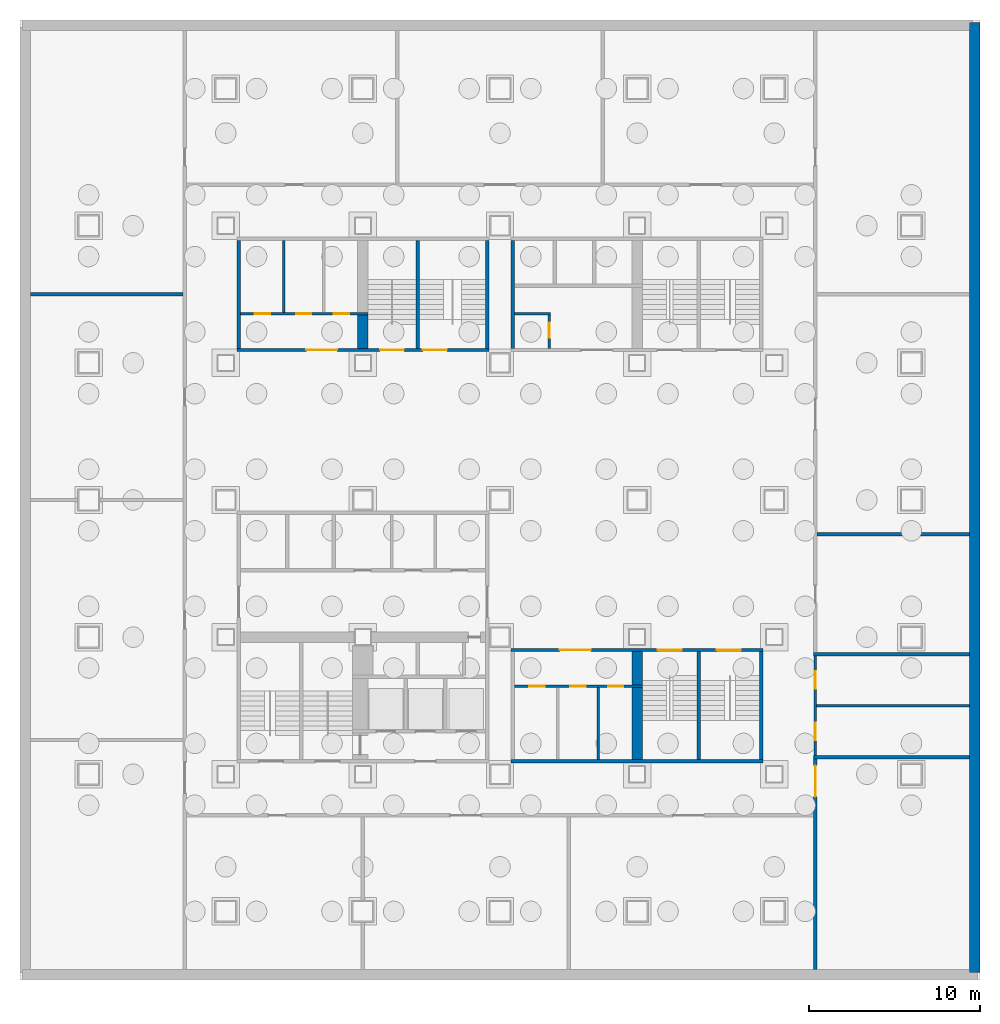
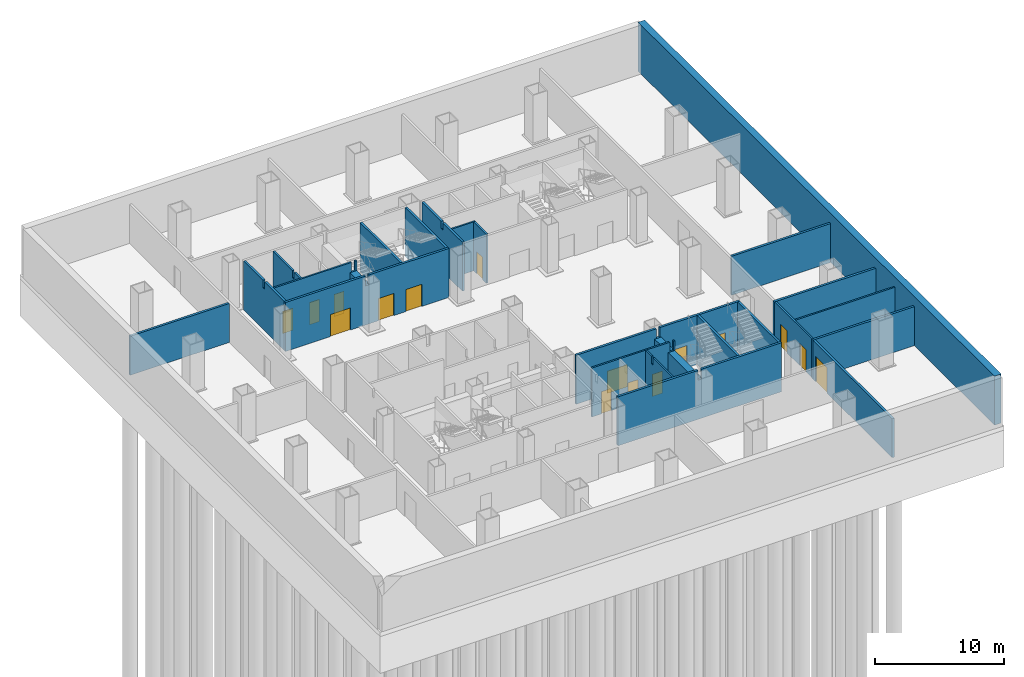
# One storey, part 4 of 9: 26 walls, 16 doors, 16 openings.
"""IFC4 building model written with IfcOpenShell, lengths in metres."""

from ifc_helpers import new_model, si_unit, direction, frame, frame_2d, origin, place, context, subcontext, project, spatial, polyline, rectangle, outline, extrude, material, layer, layer_set, type_object, element, fill, save


model = new_model("IFC4")

# Units and contexts
model_context = context("Model", 3, precision=1e-05, world=origin(), true_north=direction((0.0, 1.0)))
body_context = subcontext(model_context, "Body", "Model", "MODEL_VIEW")
ifc_project = project(units=[si_unit("LENGTHUNIT", "METRE"), si_unit("AREAUNIT", "SQUARE_METRE"), si_unit("VOLUMEUNIT", "CUBIC_METRE"), si_unit("PLANEANGLEUNIT", "RADIAN"), si_unit("MASSUNIT", "GRAM", prefix="KILO")], contexts=[model_context])

# Site, building, storey
site_placement = place(None, origin())
site = spatial("IfcSite", under=ifc_project, at=site_placement, CompositionType="ELEMENT")
building_placement = place(site_placement, origin())
building = spatial("IfcBuilding", under=site, at=building_placement, Name="Immortelle Media Tower", CompositionType="ELEMENT")
storey_placement = place(building_placement, frame((0.0, 0.0, -5.0)))
storey = spatial("IfcBuildingStorey", under=building, at=storey_placement, Name="B1", CompositionType="ELEMENT", Elevation=-5.0)

# Wall, openings, doors
ifc_material_1 = material(Name="Fire-rated gypsum board", Category="gypsum")
ifc_layer_1 = layer(ifc_material_1, 0.02490234375)
ifc_material_2 = material(Name="Steel ASTM A653 SS Gr 50 stud frame with mineral wool", Category="steel")
ifc_layer_2 = layer(ifc_material_2, 0.10009765625)
ifc_layer_3 = layer(ifc_material_1, 0.02490234375)
ifc_layer_set_1 = layer_set([ifc_layer_1, ifc_layer_2, ifc_layer_3], Name="Steel ASTM A653 SS Gr 50 stud frame with mineral wool")
wall_type_1 = type_object("IfcWallType", Name="Core partition 150", PredefinedType="PARTITIONING", material=ifc_layer_set_1)
wall_1_placement = place(storey_placement, frame((24.85009765625, 13.125, 0.0), z_axis=(0.0, 0.0, 1.0), x_axis=(1.0, 0.0, 0.0)))
wall_1 = element("IfcWall", 1, at=wall_1_placement, inside=storey, type_object=wall_type_1, Name="Core partition SE", PredefinedType="PARTITIONING", context=body_context, shape_type="SweptSolid", body=[
    extrude(outline(polyline([(0.0, 0.0), (7.449951171875, 0.0), (7.449951171875, 4.64990234375), (7.30859375, 4.64990234375), (7.3076171875, 3.717041015625), (6.992431640625, 3.717041015625), (6.991455078125, 4.64990234375), (0.0, 4.64990234375), (0.0, 0.0)])), frame((0.0, 0.074951171875, 0.0), z_axis=(0.0, -1.0, 0.0), x_axis=(1.0, 0.0, 0.0)), (0.0, 0.0, 1.0), 0.14990234375),
])
opening_1_placement = place(wall_1_placement, frame((1.75, 0.0, 0.0), z_axis=(0.0, 0.0, 1.0), x_axis=(-1.0, 0.0, 0.0)))
opening_1 = element("IfcOpeningElement", 2, at=opening_1_placement, cuts=wall_1, Name="Opening B1-K014", PredefinedType="OPENING", context=body_context, shape_type="SweptSolid", body=[
    extrude(rectangle(XDim=0.89990234375, YDim=2.10009765625, at=frame_2d((0.449951171875, 1.050048828125))), frame((0.0, 0.0849609375, 0.0), z_axis=(0.0, -1.0, 0.0), x_axis=(1.0, 0.0, 0.0)), (0.0, 0.0, 1.0), 0.169921875),
])
opening_2_placement = place(wall_1_placement, frame((4.14990234375, 0.0, 0.0), z_axis=(0.0, 0.0, 1.0), x_axis=(-1.0, 0.0, 0.0)))
opening_2 = element("IfcOpeningElement", 3, at=opening_2_placement, cuts=wall_1, Name="Opening B1-K016", PredefinedType="OPENING", context=body_context, shape_type="SweptSolid", body=[
    extrude(rectangle(XDim=0.89990234375, YDim=2.10009765625, at=frame_2d((0.449951171875, 1.050048828125))), frame((0.0, 0.0849609375, 0.0), z_axis=(0.0, -1.0, 0.0), x_axis=(1.0, 0.0, 0.0)), (0.0, 0.0, 1.0), 0.169921875),
])
opening_3_placement = place(wall_1_placement, frame((6.349853515625, 0.0, 0.0), z_axis=(0.0, 0.0, 1.0), x_axis=(-1.0, 0.0, 0.0)))
opening_3 = element("IfcOpeningElement", 4, at=opening_3_placement, cuts=wall_1, Name="Opening B1-K017", PredefinedType="OPENING", context=body_context, shape_type="SweptSolid", body=[
    extrude(rectangle(XDim=0.89990234375, YDim=2.10009765625, at=frame_2d((0.449951171875, 1.050048828125))), frame((0.0, 0.0849609375, 0.0), z_axis=(0.0, -1.0, 0.0), x_axis=(1.0, 0.0, 0.0)), (0.0, 0.0, 1.0), 0.169921875),
])
ifc_material_3 = material(Name="Galvanised steel door leaf and frame ASTM A653", Category="steel")
door_type_1 = type_object("IfcDoorType", Name="Service door 900 x 2100", OperationType="NOTDEFINED", PredefinedType="NOTDEFINED", material=ifc_material_3)
door_1_placement = place(opening_1_placement, origin())
door_1 = element("IfcDoor", 5, at=door_1_placement, inside=storey, type_object=door_type_1, Name="Service B1-K014", OperationType="SINGLE_SWING_RIGHT", OverallHeight=2.10009765625, OverallWidth=0.89990234375, PredefinedType="NOTDEFINED", context=body_context, shape_type="SweptSolid", body=[
    extrude(rectangle(XDim=0.89990234375, YDim=2.10009765625, at=frame_2d((0.449951171875, 1.050048828125))), frame((0.0, 0.02490234375, 0.0), z_axis=(0.0, -1.0, 0.0), x_axis=(1.0, 0.0, 0.0)), (0.0, 0.0, 1.0), 0.050048828125),
])
fill(opening_1, door_1)
door_2_placement = place(opening_2_placement, origin())
door_2 = element("IfcDoor", 6, at=door_2_placement, inside=storey, type_object=door_type_1, Name="Service B1-K016", OperationType="SINGLE_SWING_RIGHT", OverallHeight=2.10009765625, OverallWidth=0.89990234375, PredefinedType="NOTDEFINED", context=body_context, shape_type="SweptSolid", body=[
    extrude(rectangle(XDim=0.89990234375, YDim=2.10009765625, at=frame_2d((0.449951171875, 1.050048828125))), frame((0.0, 0.02490234375, 0.0), z_axis=(0.0, -1.0, 0.0), x_axis=(1.0, 0.0, 0.0)), (0.0, 0.0, 1.0), 0.050048828125),
])
fill(opening_2, door_2)
door_3_placement = place(opening_3_placement, origin())
door_3 = element("IfcDoor", 7, at=door_3_placement, inside=storey, type_object=door_type_1, Name="Service B1-K017", OperationType="SINGLE_SWING_LEFT", OverallHeight=2.10009765625, OverallWidth=0.89990234375, PredefinedType="NOTDEFINED", context=body_context, shape_type="SweptSolid", body=[
    extrude(rectangle(XDim=0.89990234375, YDim=2.10009765625, at=frame_2d((0.449951171875, 1.050048828125))), frame((0.0, 0.02490234375, 0.0), z_axis=(0.0, -1.0, 0.0), x_axis=(1.0, 0.0, 0.0)), (0.0, 0.0, 1.0), 0.050048828125),
])
fill(opening_3, door_3)

# Wall
wall_2_placement = place(storey_placement, frame((29.72509765625, 8.85009765625, 0.0), z_axis=(0.0, 0.0, 1.0), x_axis=(0.0, 1.0, 0.0)))
element("IfcWall", 8, at=wall_2_placement, inside=storey, type_object=wall_type_1, Name="Core partition SE", PredefinedType="PARTITIONING", context=body_context, shape_type="SweptSolid", body=[
    extrude(outline(polyline([(0.0, 0.0), (4.199951171875, 0.0), (4.199951171875, 4.64990234375), (3.283447265625, 4.64990234375), (3.282470703125, 3.950927734375), (3.017578125, 3.950927734375), (3.0166015625, 4.64990234375), (0.0, 4.64990234375), (0.0, 0.0)])), frame((0.0, 0.074951171875, 0.0), z_axis=(0.0, -1.0, 0.0), x_axis=(1.0, 0.0, 0.0)), (0.0, 0.0, 1.0), 0.14990234375),
])

# Wall, openings, doors
wall_3_placement = place(storey_placement, frame((8.85009765625, 34.875, 0.0), z_axis=(0.0, 0.0, 1.0), x_axis=(1.0, 0.0, 0.0)))
wall_3 = element("IfcWall", 9, at=wall_3_placement, inside=storey, type_object=wall_type_1, Name="Core partition NW", PredefinedType="PARTITIONING", context=body_context, shape_type="SweptSolid", body=[
    extrude(outline(polyline([(0.0, 0.0), (7.449951171875, 0.0), (7.449951171875, 4.64990234375), (7.30859375, 4.64990234375), (7.3076171875, 3.717041015625), (6.992431640625, 3.717041015625), (6.991455078125, 4.64990234375), (0.0, 4.64990234375), (0.0, 0.0)])), frame((0.0, 0.074951171875, 0.0), z_axis=(0.0, -1.0, 0.0), x_axis=(1.0, 0.0, 0.0)), (0.0, 0.0, 1.0), 0.14990234375),
])
opening_4_placement = place(wall_3_placement, frame((0.85009765625, 0.0, 0.0)))
opening_4 = element("IfcOpeningElement", 10, at=opening_4_placement, cuts=wall_3, Name="Opening B1-K020", PredefinedType="OPENING", context=body_context, shape_type="SweptSolid", body=[
    extrude(rectangle(XDim=0.89990234375, YDim=2.10009765625, at=frame_2d((0.449951171875, 1.050048828125))), frame((0.0, 0.0849609375, 0.0), z_axis=(0.0, -1.0, 0.0), x_axis=(1.0, 0.0, 0.0)), (0.0, 0.0, 1.0), 0.169921875),
])
opening_5_placement = place(wall_3_placement, frame((3.25, 0.0, 0.0)))
opening_5 = element("IfcOpeningElement", 11, at=opening_5_placement, cuts=wall_3, Name="Opening B1-K021", PredefinedType="OPENING", context=body_context, shape_type="SweptSolid", body=[
    extrude(rectangle(XDim=0.89990234375, YDim=2.10009765625, at=frame_2d((0.449951171875, 1.050048828125))), frame((0.0, 0.0849609375, 0.0), z_axis=(0.0, -1.0, 0.0), x_axis=(1.0, 0.0, 0.0)), (0.0, 0.0, 1.0), 0.169921875),
])
opening_6_placement = place(wall_3_placement, frame((5.449951171875, 0.0, 0.0)))
opening_6 = element("IfcOpeningElement", 12, at=opening_6_placement, cuts=wall_3, Name="Opening B1-K023", PredefinedType="OPENING", context=body_context, shape_type="SweptSolid", body=[
    extrude(rectangle(XDim=0.89990234375, YDim=2.10009765625, at=frame_2d((0.449951171875, 1.050048828125))), frame((0.0, 0.0849609375, 0.0), z_axis=(0.0, -1.0, 0.0), x_axis=(1.0, 0.0, 0.0)), (0.0, 0.0, 1.0), 0.169921875),
])
door_4_placement = place(opening_4_placement, origin())
door_4 = element("IfcDoor", 13, at=door_4_placement, inside=storey, type_object=door_type_1, Name="Service B1-K020", OperationType="SINGLE_SWING_LEFT", OverallHeight=2.10009765625, OverallWidth=0.89990234375, PredefinedType="NOTDEFINED", context=body_context, shape_type="SweptSolid", body=[
    extrude(rectangle(XDim=0.89990234375, YDim=2.10009765625, at=frame_2d((0.449951171875, 1.050048828125))), frame((0.0, 0.02490234375, 0.0), z_axis=(0.0, -1.0, 0.0), x_axis=(1.0, 0.0, 0.0)), (0.0, 0.0, 1.0), 0.050048828125),
])
fill(opening_4, door_4)
door_5_placement = place(opening_5_placement, origin())
door_5 = element("IfcDoor", 14, at=door_5_placement, inside=storey, type_object=door_type_1, Name="Service B1-K021", OperationType="SINGLE_SWING_LEFT", OverallHeight=2.10009765625, OverallWidth=0.89990234375, PredefinedType="NOTDEFINED", context=body_context, shape_type="SweptSolid", body=[
    extrude(rectangle(XDim=0.89990234375, YDim=2.10009765625, at=frame_2d((0.449951171875, 1.050048828125))), frame((0.0, 0.02490234375, 0.0), z_axis=(0.0, -1.0, 0.0), x_axis=(1.0, 0.0, 0.0)), (0.0, 0.0, 1.0), 0.050048828125),
])
fill(opening_5, door_5)
door_6_placement = place(opening_6_placement, origin())
door_6 = element("IfcDoor", 15, at=door_6_placement, inside=storey, type_object=door_type_1, Name="Service B1-K023", OperationType="SINGLE_SWING_RIGHT", OverallHeight=2.10009765625, OverallWidth=0.89990234375, PredefinedType="NOTDEFINED", context=body_context, shape_type="SweptSolid", body=[
    extrude(rectangle(XDim=0.89990234375, YDim=2.10009765625, at=frame_2d((0.449951171875, 1.050048828125))), frame((0.0, 0.02490234375, 0.0), z_axis=(0.0, -1.0, 0.0), x_axis=(1.0, 0.0, 0.0)), (0.0, 0.0, 1.0), 0.050048828125),
])
fill(opening_6, door_6)

# Walls
wall_4_placement = place(storey_placement, frame((11.375, 34.949951171875, 0.0), z_axis=(0.0, 0.0, 1.0), x_axis=(0.0, 1.0, 0.0)))
element("IfcWall", 16, at=wall_4_placement, inside=storey, type_object=wall_type_1, Name="Core partition NW", PredefinedType="PARTITIONING", context=body_context, shape_type="SweptSolid", body=[
    extrude(outline(polyline([(0.0, 0.0), (4.199951171875, 0.0), (4.199951171875, 4.64990234375), (1.18359375, 4.64990234375), (1.1826171875, 3.950927734375), (0.91748046875, 3.950927734375), (0.91650390625, 4.64990234375), (0.0, 4.64990234375), (0.0, 0.0)])), frame((0.0, 0.074951171875, 0.0), z_axis=(0.0, -1.0, 0.0), x_axis=(1.0, 0.0, 0.0)), (0.0, 0.0, 1.0), 0.14990234375),
])
wall_5_placement = place(storey_placement, frame((24.85009765625, 34.875, 0.0), z_axis=(0.0, 0.0, 1.0), x_axis=(1.0, 0.0, 0.0)))
element("IfcWall", 17, at=wall_5_placement, inside=storey, type_object=wall_type_1, Name="Core partition NE", PredefinedType="PARTITIONING", context=body_context, shape_type="SweptSolid", body=[
    extrude(rectangle(XDim=2.099853515625, YDim=0.14990234375, at=frame_2d((1.0498046875, 0.0))), origin(), (0.0, 0.0, 1.0), 4.64990234375),
])

# Wall, opening, door
wall_6_placement = place(storey_placement, frame((26.875, 32.85009765625, 0.0), z_axis=(0.0, 0.0, 1.0), x_axis=(0.0, 1.0, 0.0)))
wall_6 = element("IfcWall", 18, at=wall_6_placement, inside=storey, type_object=wall_type_1, Name="Core partition NE", PredefinedType="PARTITIONING", context=body_context, shape_type="SweptSolid", body=[
    extrude(rectangle(XDim=1.949951171875, YDim=0.14990234375, at=frame_2d((0.97509765625, 0.0))), origin(), (0.0, 0.0, 1.0), 4.64990234375),
])
opening_7_placement = place(wall_6_placement, frame((0.60009765625, 0.0, 0.0)))
opening_7 = element("IfcOpeningElement", 19, at=opening_7_placement, cuts=wall_6, Name="Opening B1-K026", PredefinedType="OPENING", context=body_context, shape_type="SweptSolid", body=[
    extrude(rectangle(XDim=0.89990234375, YDim=2.10009765625, at=frame_2d((0.449951171875, 1.050048828125))), frame((0.0, 0.0849609375, 0.0), z_axis=(0.0, -1.0, 0.0), x_axis=(1.0, 0.0, 0.0)), (0.0, 0.0, 1.0), 0.169921875),
])
door_7_placement = place(opening_7_placement, origin())
door_7 = element("IfcDoor", 20, at=door_7_placement, inside=storey, type_object=door_type_1, Name="Service B1-K026", OperationType="SINGLE_SWING_RIGHT", OverallHeight=2.10009765625, OverallWidth=0.89990234375, PredefinedType="NOTDEFINED", context=body_context, shape_type="SweptSolid", body=[
    extrude(rectangle(XDim=0.89990234375, YDim=2.10009765625, at=frame_2d((0.449951171875, 1.050048828125))), frame((0.0, 0.02490234375, 0.0), z_axis=(0.0, -1.0, 0.0), x_axis=(1.0, 0.0, 0.0)), (0.0, 0.0, 1.0), 0.050048828125),
])
fill(opening_7, door_7)

# Walls
ifc_layer_4 = layer(ifc_material_1, 0.03759765625)
ifc_layer_5 = layer(ifc_material_2, 0.125)
ifc_layer_6 = layer(ifc_material_1, 0.03759765625)
ifc_layer_set_2 = layer_set([ifc_layer_4, ifc_layer_5, ifc_layer_6], Name="Steel ASTM A653 SS Gr 50 stud frame with mineral wool")
wall_type_2 = type_object("IfcWallType", Name="Core shaft wall 200", PredefinedType="PARTITIONING", material=ifc_layer_set_2)
for number, where, z_axis, x_axis, name in (
    (21, (8.75, 32.85009765625, 0.0), (0.0, 0.0, 1.0), (0.0, 1.0, 0.0), "Core shaft wall NW"),
    (22, (24.75, 32.85009765625, 0.0), (0.0, 0.0, 1.0), (0.0, 1.0, 0.0), "Core shaft wall NE"),
):
    element("IfcWall", number, at=place(storey_placement, frame(where, z_axis=z_axis, x_axis=x_axis)), inside=storey, type_object=wall_type_2, Name=name, PredefinedType="PARTITIONING", context=body_context, shape_type="SweptSolid", body=[
        extrude(outline(polyline([(0.0, 0.0), (6.2998046875, 0.0), (6.300048828125, 4.64990234375), (3.283447265625, 4.64990234375), (3.282470703125, 3.950927734375), (3.017578125, 3.950927734375), (3.0166015625, 4.64990234375), (0.0, 4.64990234375), (0.0, 0.0)])), frame((0.0, 0.10009765625, 0.0), z_axis=(0.0, -1.0, 0.0), x_axis=(1.0, 0.0, 0.0)), (0.0, 0.0, 1.0), 0.199951171875),
    ])
ifc_layer_7 = layer(ifc_material_1, 0.03759765625)
ifc_layer_8 = layer(ifc_material_2, 0.125)
ifc_layer_9 = layer(ifc_material_1, 0.03759765625)
ifc_layer_set_3 = layer_set([ifc_layer_7, ifc_layer_8, ifc_layer_9], Name="Steel ASTM A653 SS Gr 50 stud frame with mineral wool")
wall_type_3 = type_object("IfcWallType", Name="Fire-resisting wall 200", PredefinedType="PARTITIONING", material=ifc_layer_set_3)
wall_7_placement = place(storey_placement, frame((-3.39990234375, 36.0, 0.0), z_axis=(0.0, 0.0, 1.0), x_axis=(1.0, 0.0, 0.0)))
element("IfcWall", 23, at=wall_7_placement, inside=storey, type_object=wall_type_3, Name="Fire-resisting wall B1-6", PredefinedType="PARTITIONING", context=body_context, shape_type="SweptSolid", body=[
    extrude(rectangle(XDim=8.89990234375, YDim=0.199951171875, at=frame_2d((4.449951171875, 0.0))), origin(), (0.0, 0.0, 1.0), 3.699951171875),
])
for number, where, z_axis, x_axis, name in (
    (24, (42.300048828125, 9.0, 0.0), (0.0, 0.0, 1.0), (1.0, 0.0, 0.0), "Fire-resisting wall B1-14"),
    (25, (42.300048828125, 15.0, 0.0), (0.0, 0.0, 1.0), (1.0, 0.0, 0.0), "Fire-resisting wall B1-15"),
):
    element("IfcWall", number, at=place(storey_placement, frame(where, z_axis=z_axis, x_axis=x_axis)), inside=storey, type_object=wall_type_3, Name=name, PredefinedType="PARTITIONING", context=body_context, shape_type="SweptSolid", body=[
        extrude(rectangle(XDim=9.099853515625, YDim=0.199951171875, at=frame_2d((4.5498046875, 0.0))), origin(), (0.0, 0.0, 1.0), 3.699951171875),
    ])

# Wall, opening, door
wall_8_placement = place(storey_placement, frame((42.39990234375, -3.39990234375, 0.0), z_axis=(0.0, 0.0, 1.0), x_axis=(0.0, 1.0, 0.0)))
wall_8 = element("IfcWall", 26, at=wall_8_placement, inside=storey, type_object=wall_type_3, Name="Fire-resisting wall B1-16", PredefinedType="PARTITIONING", context=body_context, shape_type="SweptSolid", body=[
    extrude(rectangle(XDim=12.2998046875, YDim=0.199951171875, at=frame_2d((6.14990234375, 0.0))), origin(), (0.0, 0.0, 1.0), 3.699951171875),
])
opening_8_placement = place(wall_8_placement, frame((10.10009765625, 0.0, 0.0)))
opening_8 = element("IfcOpeningElement", 27, at=opening_8_placement, cuts=wall_8, Name="Opening B1-X08", PredefinedType="OPENING", context=body_context, shape_type="SweptSolid", body=[
    extrude(rectangle(XDim=1.800048828125, YDim=2.39990234375, at=frame_2d((0.89990234375, 1.199951171875))), frame((0.0, 0.10986328125, 0.0), z_axis=(0.0, -1.0, 0.0), x_axis=(1.0, 0.0, 0.0)), (0.0, 0.0, 1.0), 0.219970703125),
])
door_type_2 = type_object("IfcDoorType", Name="Fire double door 1800 x 2400", OperationType="DOUBLE_DOOR_SINGLE_SWING", PredefinedType="DOOR", material=ifc_material_3)
door_8_placement = place(opening_8_placement, origin())
door_8 = element("IfcDoor", 28, at=door_8_placement, inside=storey, type_object=door_type_2, Name="Door B1-X08", OperationType="DOUBLE_DOOR_SINGLE_SWING", OverallHeight=2.39990234375, OverallWidth=1.800048828125, PredefinedType="DOOR", context=body_context, shape_type="SweptSolid", body=[
    extrude(rectangle(XDim=1.800048828125, YDim=2.39990234375, at=frame_2d((0.89990234375, 1.199951171875))), frame((0.0, 0.02490234375, 0.0), z_axis=(0.0, -1.0, 0.0), x_axis=(1.0, 0.0, 0.0)), (0.0, 0.0, 1.0), 0.050048828125),
])
fill(opening_8, door_8)

# Wall
wall_9_placement = place(storey_placement, frame((42.5, 22.0, 0.0), z_axis=(0.0, 0.0, 1.0), x_axis=(1.0, 0.0, 0.0)))
element("IfcWall", 29, at=wall_9_placement, inside=storey, type_object=wall_type_3, Name="Fire-resisting wall B1-20", PredefinedType="PARTITIONING", context=body_context, shape_type="SweptSolid", body=[
    extrude(rectangle(XDim=8.89990234375, YDim=0.199951171875, at=frame_2d((4.449951171875, 0.0))), origin(), (0.0, 0.0, 1.0), 3.699951171875),
])

# Wall, openings, doors
ifc_material_4 = material(Name="Gypsum board", Category="gypsum")
ifc_layer_10 = layer(ifc_material_4, 0.012451171875)
ifc_layer_11 = layer(ifc_material_2, 0.125)
ifc_layer_12 = layer(ifc_material_4, 0.012451171875)
ifc_layer_set_4 = layer_set([ifc_layer_10, ifc_layer_11, ifc_layer_12], Name="Steel ASTM A653 SS Gr 50 stud frame with mineral wool")
wall_type_4 = type_object("IfcWallType", Name="Partition 150", PredefinedType="PARTITIONING", material=ifc_layer_set_4)
wall_10_placement = place(storey_placement, frame((42.39990234375, 9.10009765625, 0.0), z_axis=(0.0, 0.0, 1.0), x_axis=(0.0, 1.0, 0.0)))
wall_10 = element("IfcWall", 30, at=wall_10_placement, inside=storey, type_object=wall_type_4, Name="Partition B1-17", PredefinedType="PARTITIONING", context=body_context, shape_type="SweptSolid", body=[
    extrude(rectangle(XDim=5.7998046875, YDim=0.14990234375, at=frame_2d((2.89990234375, 0.0))), origin(), (0.0, 0.0, 1.0), 3.699951171875),
])
opening_9_placement = place(wall_10_placement, frame((1.89990234375, 0.0, 0.0), z_axis=(0.0, 0.0, 1.0), x_axis=(-1.0, 0.0, 0.0)))
opening_9 = element("IfcOpeningElement", 31, at=opening_9_placement, cuts=wall_10, Name="Opening B1-X09", PredefinedType="OPENING", context=body_context, shape_type="SweptSolid", body=[
    extrude(rectangle(XDim=1.0, YDim=2.10009765625, at=frame_2d((0.5, 1.050048828125))), frame((0.0, 0.0849609375, 0.0), z_axis=(0.0, -1.0, 0.0), x_axis=(1.0, 0.0, 0.0)), (0.0, 0.0, 1.0), 0.169921875),
])
opening_10_placement = place(wall_10_placement, frame((4.89990234375, 0.0, 0.0), z_axis=(0.0, 0.0, 1.0), x_axis=(-1.0, 0.0, 0.0)))
opening_10 = element("IfcOpeningElement", 32, at=opening_10_placement, cuts=wall_10, Name="Opening B1-X10", PredefinedType="OPENING", context=body_context, shape_type="SweptSolid", body=[
    extrude(rectangle(XDim=1.0, YDim=2.10009765625, at=frame_2d((0.5, 1.050048828125))), frame((0.0, 0.0849609375, 0.0), z_axis=(0.0, -1.0, 0.0), x_axis=(1.0, 0.0, 0.0)), (0.0, 0.0, 1.0), 0.169921875),
])
ifc_material_5 = material(Name="Timber door leaf, galvanised steel frame ASTM A653", Category="steel")
door_type_3 = type_object("IfcDoorType", Name="Door 1000 x 2100", OperationType="NOTDEFINED", PredefinedType="DOOR", material=ifc_material_5)
door_9_placement = place(opening_9_placement, origin())
door_9 = element("IfcDoor", 33, at=door_9_placement, inside=storey, type_object=door_type_3, Name="Door B1-X09", OperationType="SINGLE_SWING_LEFT", OverallHeight=2.10009765625, OverallWidth=1.0, PredefinedType="DOOR", context=body_context, shape_type="SweptSolid", body=[
    extrude(rectangle(XDim=1.0, YDim=2.10009765625, at=frame_2d((0.5, 1.050048828125))), frame((0.0, 0.02490234375, 0.0), z_axis=(0.0, -1.0, 0.0), x_axis=(1.0, 0.0, 0.0)), (0.0, 0.0, 1.0), 0.050048828125),
])
fill(opening_9, door_9)
door_10_placement = place(opening_10_placement, origin())
door_10 = element("IfcDoor", 34, at=door_10_placement, inside=storey, type_object=door_type_3, Name="Door B1-X10", OperationType="SINGLE_SWING_RIGHT", OverallHeight=2.10009765625, OverallWidth=1.0, PredefinedType="DOOR", context=body_context, shape_type="SweptSolid", body=[
    extrude(rectangle(XDim=1.0, YDim=2.10009765625, at=frame_2d((0.5, 1.050048828125))), frame((0.0, 0.02490234375, 0.0), z_axis=(0.0, -1.0, 0.0), x_axis=(1.0, 0.0, 0.0)), (0.0, 0.0, 1.0), 0.050048828125),
])
fill(opening_10, door_10)

# Walls
wall_11_placement = place(storey_placement, frame((42.47509765625, 12.0, 0.0), z_axis=(0.0, 0.0, 1.0), x_axis=(1.0, 0.0, 0.0)))
element("IfcWall", 35, at=wall_11_placement, inside=storey, type_object=wall_type_4, Name="Partition B1-19", PredefinedType="PARTITIONING", context=body_context, shape_type="SweptSolid", body=[
    extrude(rectangle(XDim=8.9248046875, YDim=0.14990234375, at=frame_2d((4.46240234375, 0.0))), origin(), (0.0, 0.0, 1.0), 3.699951171875),
])
ifc_material_6 = material(Name="Concrete C60", Category="concrete")
ifc_layer_13 = layer(ifc_material_6, 0.60009765625)
ifc_layer_set_5 = layer_set([ifc_layer_13], Name="Concrete C60")
wall_type_5 = type_object("IfcWallType", Name="Retaining wall 600", PredefinedType="SOLIDWALL", material=ifc_layer_set_5)
wall_12_placement = place(storey_placement, frame((51.699951171875, -3.550048828125, 0.0), z_axis=(0.0, 0.0, 1.0), x_axis=(0.0, 1.0, 0.0)))
element("IfcWall", 36, at=wall_12_placement, inside=storey, type_object=wall_type_5, Name="Retaining wall 2", PredefinedType="SOLIDWALL", context=body_context, shape_type="SweptSolid", body=[
    extrude(rectangle(XDim=55.400146484375, YDim=0.60009765625, at=frame_2d((27.7001953125, 0.0))), origin(), (0.0, 0.0, 1.0), 4.64990234375),
])
ifc_layer_14 = layer(ifc_material_6, 0.199951171875)
ifc_layer_set_6 = layer_set([ifc_layer_14], Name="Concrete C60")
wall_type_6 = type_object("IfcWallType", Name="Stair shaft wall 200", PredefinedType="PARTITIONING", material=ifc_layer_set_6)
wall_13_placement = place(storey_placement, frame((24.64990234375, 8.75, 0.0), z_axis=(0.0, 0.0, 1.0), x_axis=(1.0, 0.0, 0.0)))
element("IfcWall", 37, at=wall_13_placement, inside=storey, type_object=wall_type_6, Name="Stair shaft wall SE", PredefinedType="PARTITIONING", context=body_context, shape_type="SweptSolid", body=[
    extrude(outline(polyline([(0.0, 0.0), (14.7001953125, 0.0), (14.699951171875, 4.64990234375), (7.508544921875, 4.64990234375), (7.507568359375, 3.717041015625), (7.1923828125, 3.717041015625), (7.19140625, 4.64990234375), (0.0, 4.64990234375), (0.0, 0.0)])), frame((0.0, 0.10009765625, 0.0), z_axis=(0.0, -1.0, 0.0), x_axis=(1.0, 0.0, 0.0)), (0.0, 0.0, 1.0), 0.199951171875),
])

# Wall, openings, doors
wall_14_placement = place(storey_placement, frame((24.64990234375, 15.25, 0.0), z_axis=(0.0, 0.0, 1.0), x_axis=(1.0, 0.0, 0.0)))
wall_14 = element("IfcWall", 38, at=wall_14_placement, inside=storey, type_object=wall_type_6, Name="Stair shaft wall SE", PredefinedType="PARTITIONING", context=body_context, shape_type="SweptSolid", body=[
    extrude(outline(polyline([(0.0, 0.0), (14.7001953125, 0.0), (14.699951171875, 4.64990234375), (7.508544921875, 4.64990234375), (7.507568359375, 3.717041015625), (7.1923828125, 3.717041015625), (7.19140625, 4.64990234375), (0.0, 4.64990234375), (0.0, 0.0)])), frame((0.0, 0.10009765625, 0.0), z_axis=(0.0, -1.0, 0.0), x_axis=(1.0, 0.0, 0.0)), (0.0, 0.0, 1.0), 0.199951171875),
])
opening_11_placement = place(wall_14_placement, frame((2.85009765625, 0.0, 0.0)))
opening_11 = element("IfcOpeningElement", 39, at=opening_11_placement, cuts=wall_14, Name="Opening B1-K015", PredefinedType="OPENING", context=body_context, shape_type="SweptSolid", body=[
    extrude(rectangle(XDim=1.800048828125, YDim=2.10009765625, at=frame_2d((0.89990234375, 1.050048828125))), frame((0.0, 0.10986328125, 0.0), z_axis=(0.0, -1.0, 0.0), x_axis=(1.0, 0.0, 0.0)), (0.0, 0.0, 1.0), 0.219970703125),
])
opening_12_placement = place(wall_14_placement, frame((9.949951171875, 0.0, 0.0), z_axis=(0.0, 0.0, 1.0), x_axis=(-1.0, 0.0, 0.0)))
opening_12 = element("IfcOpeningElement", 40, at=opening_12_placement, cuts=wall_14, Name="Opening B1-K018", PredefinedType="OPENING", context=body_context, shape_type="SweptSolid", body=[
    extrude(rectangle(XDim=1.39990234375, YDim=2.10009765625, at=frame_2d((0.699951171875, 1.050048828125))), frame((0.0, 0.10986328125, 0.0), z_axis=(0.0, -1.0, 0.0), x_axis=(1.0, 0.0, 0.0)), (0.0, 0.0, 1.0), 0.219970703125),
])
opening_13_placement = place(wall_14_placement, frame((13.39990234375, 0.0, 0.0), z_axis=(0.0, 0.0, 1.0), x_axis=(-1.0, 0.0, 0.0)))
opening_13 = element("IfcOpeningElement", 41, at=opening_13_placement, cuts=wall_14, Name="Opening B1-K019", PredefinedType="OPENING", context=body_context, shape_type="SweptSolid", body=[
    extrude(rectangle(XDim=1.39990234375, YDim=2.10009765625, at=frame_2d((0.699951171875, 1.050048828125))), frame((0.0, 0.10986328125, 0.0), z_axis=(0.0, -1.0, 0.0), x_axis=(1.0, 0.0, 0.0)), (0.0, 0.0, 1.0), 0.219970703125),
])
door_type_4 = type_object("IfcDoorType", Name="Lift lobby door 1800 x 2100", OperationType="DOUBLE_DOOR_SINGLE_SWING", PredefinedType="NOTDEFINED", material=ifc_material_3)
door_11_placement = place(opening_11_placement, origin())
door_11 = element("IfcDoor", 42, at=door_11_placement, inside=storey, type_object=door_type_4, Name="Lift lobby B1-K015", OperationType="DOUBLE_DOOR_SINGLE_SWING", OverallHeight=2.10009765625, OverallWidth=1.800048828125, PredefinedType="NOTDEFINED", context=body_context, shape_type="SweptSolid", body=[
    extrude(rectangle(XDim=1.800048828125, YDim=2.10009765625, at=frame_2d((0.89990234375, 1.050048828125))), frame((0.0, 0.02490234375, 0.0), z_axis=(0.0, -1.0, 0.0), x_axis=(1.0, 0.0, 0.0)), (0.0, 0.0, 1.0), 0.050048828125),
])
fill(opening_11, door_11)
door_type_5 = type_object("IfcDoorType", Name="Stair door 1400 x 2100", OperationType="DOUBLE_DOOR_SINGLE_SWING", PredefinedType="NOTDEFINED", material=ifc_material_3)
door_12_placement = place(opening_12_placement, origin())
door_12 = element("IfcDoor", 43, at=door_12_placement, inside=storey, type_object=door_type_5, Name="Stair B1-K018", OperationType="DOUBLE_DOOR_SINGLE_SWING", OverallHeight=2.10009765625, OverallWidth=1.39990234375, PredefinedType="NOTDEFINED", context=body_context, shape_type="SweptSolid", body=[
    extrude(rectangle(XDim=1.39990234375, YDim=2.10009765625, at=frame_2d((0.699951171875, 1.050048828125))), frame((0.0, 0.02490234375, 0.0), z_axis=(0.0, -1.0, 0.0), x_axis=(1.0, 0.0, 0.0)), (0.0, 0.0, 1.0), 0.050048828125),
])
fill(opening_12, door_12)
door_13_placement = place(opening_13_placement, origin())
door_13 = element("IfcDoor", 44, at=door_13_placement, inside=storey, type_object=door_type_5, Name="Stair B1-K019", OperationType="DOUBLE_DOOR_SINGLE_SWING", OverallHeight=2.10009765625, OverallWidth=1.39990234375, PredefinedType="NOTDEFINED", context=body_context, shape_type="SweptSolid", body=[
    extrude(rectangle(XDim=1.39990234375, YDim=2.10009765625, at=frame_2d((0.699951171875, 1.050048828125))), frame((0.0, 0.02490234375, 0.0), z_axis=(0.0, -1.0, 0.0), x_axis=(1.0, 0.0, 0.0)), (0.0, 0.0, 1.0), 0.050048828125),
])
fill(opening_13, door_13)

# Walls
for number, where, z_axis, x_axis, name in (
    (45, (35.60009765625, 8.85009765625, 0.0), (0.0, 0.0, 1.0), (0.0, 1.0, 0.0), "Stair shaft wall SE"),
    (46, (39.25, 8.85009765625, 0.0), (0.0, 0.0, 1.0), (0.0, 1.0, 0.0), "Stair shaft wall SE"),
):
    element("IfcWall", number, at=place(storey_placement, frame(where, z_axis=z_axis, x_axis=x_axis)), inside=storey, type_object=wall_type_6, Name=name, PredefinedType="PARTITIONING", context=body_context, shape_type="SweptSolid", body=[
        extrude(rectangle(XDim=6.2998046875, YDim=0.199951171875, at=frame_2d((3.14990234375, 0.0))), origin(), (0.0, 0.0, 1.0), 4.64990234375),
    ])

# Wall, openings, doors
wall_15_placement = place(storey_placement, frame((8.64990234375, 32.75, 0.0), z_axis=(0.0, 0.0, 1.0), x_axis=(1.0, 0.0, 0.0)))
wall_15 = element("IfcWall", 47, at=wall_15_placement, inside=storey, type_object=wall_type_6, Name="Stair shaft wall NW", PredefinedType="PARTITIONING", context=body_context, shape_type="SweptSolid", body=[
    extrude(outline(polyline([(0.0, 0.0), (14.7001953125, 0.0), (14.699951171875, 4.64990234375), (7.508544921875, 4.64990234375), (7.507568359375, 3.717041015625), (7.1923828125, 3.717041015625), (7.19140625, 4.64990234375), (0.0, 4.64990234375), (0.0, 0.0)])), frame((0.0, 0.10009765625, 0.0), z_axis=(0.0, -1.0, 0.0), x_axis=(1.0, 0.0, 0.0)), (0.0, 0.0, 1.0), 0.199951171875),
])
opening_14_placement = place(wall_15_placement, frame((4.050048828125, 0.0, 0.0)))
opening_14 = element("IfcOpeningElement", 48, at=opening_14_placement, cuts=wall_15, Name="Opening B1-K022", PredefinedType="OPENING", context=body_context, shape_type="SweptSolid", body=[
    extrude(rectangle(XDim=1.800048828125, YDim=2.10009765625, at=frame_2d((0.89990234375, 1.050048828125))), frame((0.0, 0.10986328125, 0.0), z_axis=(0.0, -1.0, 0.0), x_axis=(1.0, 0.0, 0.0)), (0.0, 0.0, 1.0), 0.219970703125),
])
opening_15_placement = place(wall_15_placement, frame((8.35009765625, 0.0, 0.0)))
opening_15 = element("IfcOpeningElement", 49, at=opening_15_placement, cuts=wall_15, Name="Opening B1-K024", PredefinedType="OPENING", context=body_context, shape_type="SweptSolid", body=[
    extrude(rectangle(XDim=1.39990234375, YDim=2.10009765625, at=frame_2d((0.699951171875, 1.050048828125))), frame((0.0, 0.10986328125, 0.0), z_axis=(0.0, -1.0, 0.0), x_axis=(1.0, 0.0, 0.0)), (0.0, 0.0, 1.0), 0.219970703125),
])
opening_16_placement = place(wall_15_placement, frame((10.85009765625, 0.0, 0.0)))
opening_16 = element("IfcOpeningElement", 50, at=opening_16_placement, cuts=wall_15, Name="Opening B1-K025", PredefinedType="OPENING", context=body_context, shape_type="SweptSolid", body=[
    extrude(rectangle(XDim=1.39990234375, YDim=2.10009765625, at=frame_2d((0.699951171875, 1.050048828125))), frame((0.0, 0.10986328125, 0.0), z_axis=(0.0, -1.0, 0.0), x_axis=(1.0, 0.0, 0.0)), (0.0, 0.0, 1.0), 0.219970703125),
])
door_14_placement = place(opening_14_placement, origin())
door_14 = element("IfcDoor", 51, at=door_14_placement, inside=storey, type_object=door_type_4, Name="Lift lobby B1-K022", OperationType="DOUBLE_DOOR_SINGLE_SWING", OverallHeight=2.10009765625, OverallWidth=1.800048828125, PredefinedType="NOTDEFINED", context=body_context, shape_type="SweptSolid", body=[
    extrude(rectangle(XDim=1.800048828125, YDim=2.10009765625, at=frame_2d((0.89990234375, 1.050048828125))), frame((0.0, 0.02490234375, 0.0), z_axis=(0.0, -1.0, 0.0), x_axis=(1.0, 0.0, 0.0)), (0.0, 0.0, 1.0), 0.050048828125),
])
fill(opening_14, door_14)
door_15_placement = place(opening_15_placement, origin())
door_15 = element("IfcDoor", 52, at=door_15_placement, inside=storey, type_object=door_type_5, Name="Stair B1-K024", OperationType="DOUBLE_DOOR_SINGLE_SWING", OverallHeight=2.10009765625, OverallWidth=1.39990234375, PredefinedType="NOTDEFINED", context=body_context, shape_type="SweptSolid", body=[
    extrude(rectangle(XDim=1.39990234375, YDim=2.10009765625, at=frame_2d((0.699951171875, 1.050048828125))), frame((0.0, 0.02490234375, 0.0), z_axis=(0.0, -1.0, 0.0), x_axis=(1.0, 0.0, 0.0)), (0.0, 0.0, 1.0), 0.050048828125),
])
fill(opening_15, door_15)
door_16_placement = place(opening_16_placement, origin())
door_16 = element("IfcDoor", 53, at=door_16_placement, inside=storey, type_object=door_type_5, Name="Stair B1-K025", OperationType="DOUBLE_DOOR_SINGLE_SWING", OverallHeight=2.10009765625, OverallWidth=1.39990234375, PredefinedType="NOTDEFINED", context=body_context, shape_type="SweptSolid", body=[
    extrude(rectangle(XDim=1.39990234375, YDim=2.10009765625, at=frame_2d((0.699951171875, 1.050048828125))), frame((0.0, 0.02490234375, 0.0), z_axis=(0.0, -1.0, 0.0), x_axis=(1.0, 0.0, 0.0)), (0.0, 0.0, 1.0), 0.050048828125),
])
fill(opening_16, door_16)

# Walls
for number, where, z_axis, x_axis, name in (
    (54, (19.199951171875, 32.85009765625, 0.0), (0.0, 0.0, 1.0), (0.0, 1.0, 0.0), "Stair shaft wall NW"),
    (55, (23.25, 32.85009765625, 0.0), (0.0, 0.0, 1.0), (0.0, 1.0, 0.0), "Stair shaft wall NW"),
):
    element("IfcWall", number, at=place(storey_placement, frame(where, z_axis=z_axis, x_axis=x_axis)), inside=storey, type_object=wall_type_6, Name=name, PredefinedType="PARTITIONING", context=body_context, shape_type="SweptSolid", body=[
        extrude(rectangle(XDim=6.2998046875, YDim=0.199951171875, at=frame_2d((3.14990234375, 0.0))), origin(), (0.0, 0.0, 1.0), 4.64990234375),
    ])
ifc_layer_15 = layer(ifc_material_6, 0.60009765625)
ifc_layer_set_7 = layer_set([ifc_layer_15], Name="Concrete C60")
wall_type_7 = type_object("IfcWallType", Name="Stair shaft wall 600", PredefinedType="PARTITIONING", material=ifc_layer_set_7)
wall_16_placement = place(storey_placement, frame((32.0, 8.85009765625, 0.0), z_axis=(0.0, 0.0, 1.0), x_axis=(0.0, 1.0, 0.0)))
element("IfcWall", 56, at=wall_16_placement, inside=storey, type_object=wall_type_7, Name="Stair shaft wall SE", PredefinedType="PARTITIONING", context=body_context, shape_type="SweptSolid", body=[
    extrude(rectangle(XDim=4.199951171875, YDim=0.60009765625, at=frame_2d((2.10009765625, 0.0))), origin(), (0.0, 0.0, 1.0), 3.717041015625),
])
for number, where, z_axis, x_axis, name in (
    (57, (32.0, 13.199951171875, 0.0), (0.0, 0.0, 1.0), (0.0, 1.0, 0.0), "Stair shaft wall SE"),
    (58, (16.0, 32.85009765625, 0.0), (0.0, 0.0, 1.0), (0.0, 1.0, 0.0), "Stair shaft wall NW"),
):
    element("IfcWall", number, at=place(storey_placement, frame(where, z_axis=z_axis, x_axis=x_axis)), inside=storey, type_object=wall_type_7, Name=name, PredefinedType="PARTITIONING", context=body_context, shape_type="SweptSolid", body=[
        extrude(rectangle(XDim=1.949951171875, YDim=0.60009765625, at=frame_2d((0.97509765625, 0.0))), origin(), (0.0, 0.0, 1.0), 3.717041015625),
    ])

save(model, "model.ifc")
